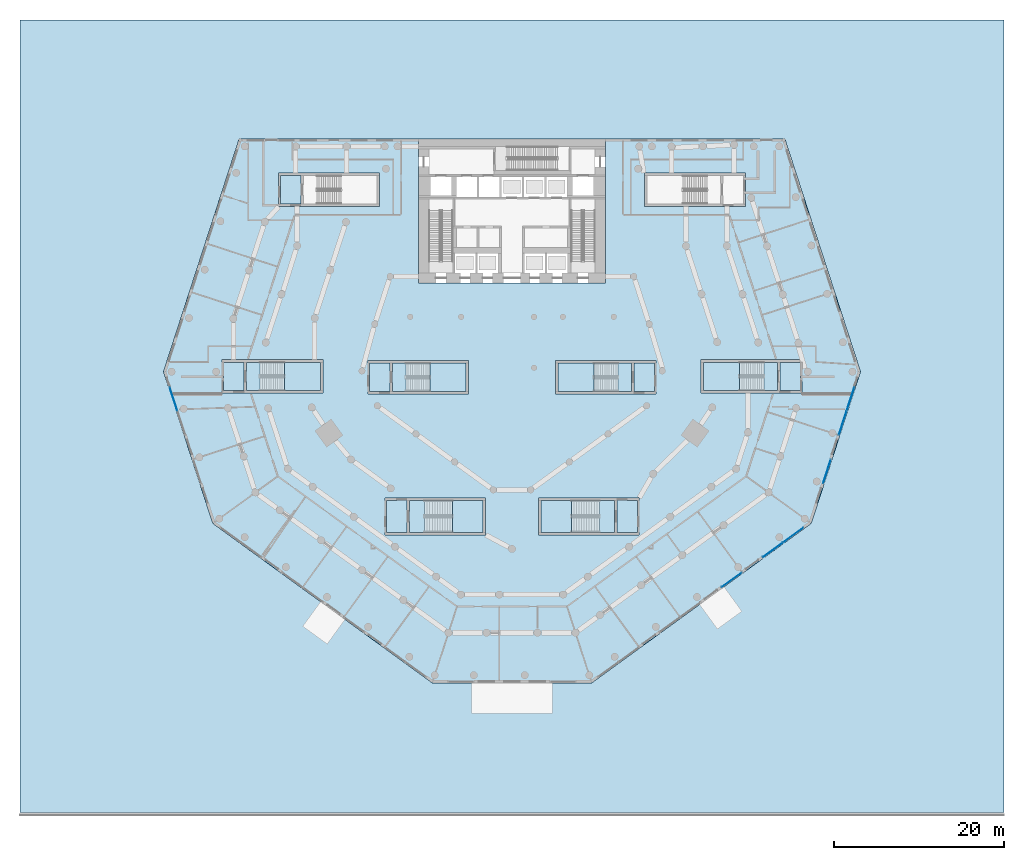
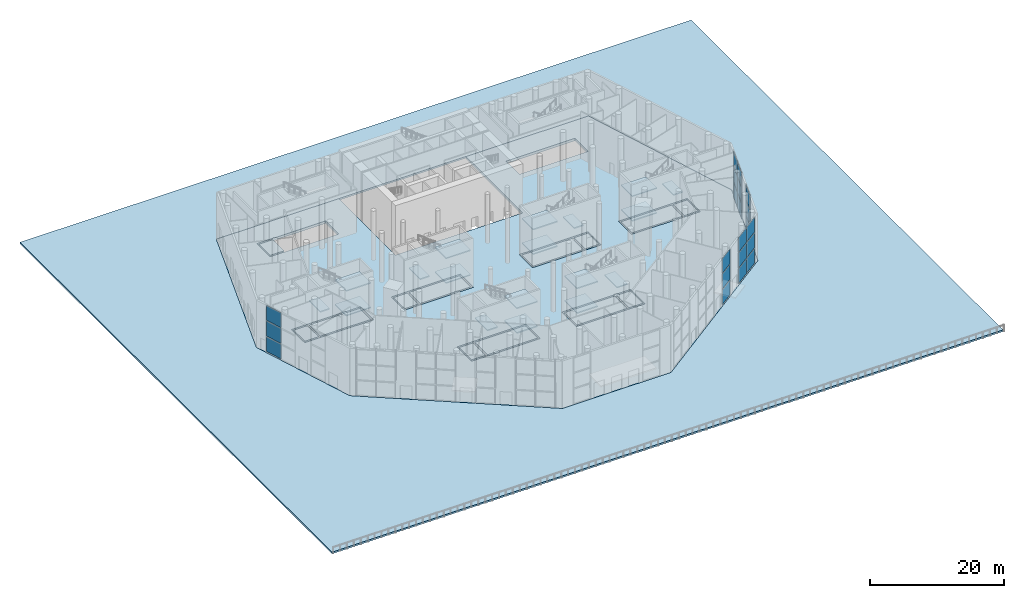
# One storey, part 8 of 25: 33 slabs, 21 plates, 11 elements without a shape of their own.
"""IFC4 building model written with IfcOpenShell, lengths in metres."""

import ifcopenshell
import ifcopenshell.guid

model = None  # the IFC model being written
_history = None  # IfcOwnerHistory: only IFC2X3 demands one
_inside = {}  # id of a spatial element -> (the spatial element, [elements in it])
_under = {}  # id of a project, library or spatial element -> (it, [spatial elements below it])
_declared = {}  # id of a project -> (the project, [libraries it declares])
_typed = {}  # id of a type object -> (the type object, [elements of that type])
_made_of = {}  # id of a material, layer set ... -> (it, [elements and type objects made of it])


def new_model(schema):
    """Start an empty IFC model of exactly this schema.

    Asked for "IFC4X3", IfcOpenShell would pick the latest addendum, in which some entities
    have other attributes; the version numbers below select the first issue.
    IFC2X3 requires an IfcOwnerHistory on every rooted entity: one is made here for all.
    """
    global model, _history
    if schema == "IFC4X3":
        model = ifcopenshell.file(schema_version=(4, 3, 0, 0))
    else:
        model = ifcopenshell.file(schema=schema)
    _inside.clear()
    _under.clear()
    _declared.clear()
    _typed.clear()
    _made_of.clear()
    _history = None
    if model.schema == "IFC2X3":
        org = make("IfcOrganization", Name="unknown")
        user = make(
            "IfcPersonAndOrganization",
            ThePerson=make("IfcPerson", FamilyName="unknown"),
            TheOrganization=org,
        )
        app = make(
            "IfcApplication",
            ApplicationDeveloper=org,
            Version="unknown",
            ApplicationFullName="unknown",
            ApplicationIdentifier="unknown",
        )
        _history = make(
            "IfcOwnerHistory",
            OwningUser=user,
            OwningApplication=app,
            ChangeAction="ADDED",
            CreationDate=0,
        )
    return model


def make(cls, **values):
    """One entity of the class cls with the attributes given. An attribute that is None is left unset."""
    return model.create_entity(
        cls, **{name: value for name, value in values.items() if value is not None}
    )


def rooted(cls, **values):
    """An entity with a GlobalId (a new one), such as an element, a storey or a relation."""
    return make(cls, GlobalId=ifcopenshell.guid.new(), OwnerHistory=_history, **values)


def si_unit(unit_type, name, prefix=None):
    """IfcSIUnit, for example si_unit("LENGTHUNIT", "METRE", prefix="MILLI")."""
    return make("IfcSIUnit", UnitType=unit_type, Prefix=prefix, Name=name)


def assignment(units):
    """IfcUnitAssignment: the units of a project."""
    return None if units is None else make("IfcUnitAssignment", Units=units)


def point(xyz):
    """IfcCartesianPoint."""
    return None if xyz is None else make("IfcCartesianPoint", Coordinates=xyz)


def direction(xyz):
    """IfcDirection."""
    return None if xyz is None else make("IfcDirection", DirectionRatios=xyz)


def frame(location, z_axis=None, x_axis=None):
    """IfcAxis2Placement3D, a coordinate frame: its origin and axes. An axis left out is left unset."""
    return make(
        "IfcAxis2Placement3D",
        Location=point(location),
        Axis=direction(z_axis),
        RefDirection=direction(x_axis),
    )


def frame_2d(location, x_axis=None):
    """IfcAxis2Placement2D, a coordinate frame in the plane: its origin and x axis."""
    return make(
        "IfcAxis2Placement2D", Location=point(location), RefDirection=direction(x_axis)
    )


def origin():
    """The frame at (0, 0, 0) with its axes left unset."""
    return frame((0.0, 0.0, 0.0))


def origin_2d():
    """The frame at (0, 0) in the plane with its x axis left unset."""
    return frame_2d((0.0, 0.0))


def place(relative_to, where):
    """IfcLocalPlacement: puts the frame where relative to a parent placement (None: the world)."""
    return make(
        "IfcLocalPlacement", PlacementRelTo=relative_to, RelativePlacement=where
    )


def context(
    kind, dimensions, precision=None, world=None, true_north=None, identifier=None
):
    """IfcGeometricRepresentationContext, for example the 3D "Model" context."""
    return make(
        "IfcGeometricRepresentationContext",
        ContextIdentifier=identifier,
        ContextType=kind,
        CoordinateSpaceDimension=dimensions,
        Precision=precision,
        WorldCoordinateSystem=world,
        TrueNorth=true_north,
    )


def subcontext(parent, identifier, kind, view, scale=None):
    """IfcGeometricRepresentationSubContext, for example "Body" below "Model"."""
    return make(
        "IfcGeometricRepresentationSubContext",
        ContextIdentifier=identifier,
        ContextType=kind,
        ParentContext=parent,
        TargetScale=scale,
        TargetView=view,
    )


def project(units=None, contexts=None):
    """IfcProject with its units and contexts."""
    return rooted(
        "IfcProject",
        Name="project",
        RepresentationContexts=contexts,
        UnitsInContext=assignment(units),
    )


def spatial(cls, under=None, at=None, **own):
    """A site, building, storey or space (cls), placed at a placement, below another one or the project."""
    s = rooted(cls, ObjectPlacement=at, **own)
    if under is not None:
        _under.setdefault(under.id(), (under, []))[1].append(s)
    return s


def polyline(points):
    """IfcPolyline through the points."""
    return make("IfcPolyline", Points=[point(p) for p in points])


def profile(cls, at=None, kind="AREA", **sizes):
    """A parametric profile (cls). Its sizes go by their IFC names, for example OverallWidth=200.0."""
    return make(cls, ProfileType=kind, Position=at, **sizes)


def rectangle(**sizes):
    """IfcRectangleProfileDef."""
    return profile("IfcRectangleProfileDef", **sizes)


def outline(outer, holes=None, kind="AREA"):
    """IfcArbitraryClosedProfileDef: a profile drawn as a closed curve; with holes, ...WithVoids."""
    if holes is None:
        return make("IfcArbitraryClosedProfileDef", ProfileType=kind, OuterCurve=outer)
    return make(
        "IfcArbitraryProfileDefWithVoids",
        ProfileType=kind,
        OuterCurve=outer,
        InnerCurves=holes,
    )


def extrude(swept, where, along, depth):
    """IfcExtrudedAreaSolid: the profile swept, set in the frame where, extruded along a direction by depth."""
    return make(
        "IfcExtrudedAreaSolid",
        SweptArea=swept,
        Position=where,
        ExtrudedDirection=direction(along),
        Depth=depth,
    )


def shape(context_of_items, identifier, shape_type, items):
    """IfcShapeRepresentation: the items that make up one representation, for example the "Body"."""
    return make(
        "IfcShapeRepresentation",
        ContextOfItems=context_of_items,
        RepresentationIdentifier=identifier,
        RepresentationType=shape_type,
        Items=items,
    )


def material(Name=None, Category=None):
    """IfcMaterial."""
    return make("IfcMaterial", Name=Name, Category=Category)


def layer(
    of_material, thickness, ventilated=None, Name=None, Category=None, Priority=None
):
    """IfcMaterialLayer: one layer of a wall or slab, of a material (None: an air gap)."""
    return make(
        "IfcMaterialLayer",
        Material=of_material,
        LayerThickness=thickness,
        IsVentilated=ventilated,
        Name=Name,
        Category=Category,
        Priority=Priority,
    )


def layer_set(layers, Name=None):
    """IfcMaterialLayerSet."""
    return make("IfcMaterialLayerSet", MaterialLayers=layers, LayerSetName=Name)


def made_of(thing, what):
    """Note that an element or type object is made of a material, layer set ...; save() writes the relation."""
    if what is not None:
        _made_of.setdefault(what.id(), (what, []))[1].append(thing)
    return thing


def type_object(cls, material=None, **own):
    """A type object (cls), such as IfcWallType, which elements share."""
    return made_of(rooted(cls, **own), material)


def element(
    cls,
    number,
    at=None,
    inside=None,
    cuts=None,
    type_object=None,
    material=None,
    context=None,
    identifier="Body",
    shape_type=None,
    held_by="IfcProductDefinitionShape",
    body=None,
    shapes=None,
    **own,
):
    """One element of the class cls, such as IfcWall. Its Tag is "e" and its number.

    at: its placement. inside: the storey or other place that contains it. cuts: it is an
    opening in that element (IfcRelVoidsElement). A single representation is given by context,
    identifier, shape_type and body (its items); several are given by shapes. held_by: the class
    of the entity that holds the representations. save() writes the other relations.
    """
    e = rooted(cls, Tag="e%d" % number, ObjectPlacement=at, **own)
    if body is not None:
        shapes = [shape(context, identifier, shape_type, body)]
    if shapes is not None:
        e.Representation = make(held_by, Representations=shapes)
    if inside is not None:
        _inside.setdefault(inside.id(), (inside, []))[1].append(e)
    if cuts is not None:
        rooted(
            "IfcRelVoidsElement", RelatingBuildingElement=cuts, RelatedOpeningElement=e
        )
    if type_object is not None:
        _typed.setdefault(type_object.id(), (type_object, []))[1].append(e)
    return made_of(e, material)


def aggregate(whole, parts):
    """IfcRelAggregates: a whole, such as a stair, and the parts it consists of."""
    return rooted("IfcRelAggregates", RelatingObject=whole, RelatedObjects=parts)


def save(model, path):
    """Write the relations noted so far, then the file.

    IfcRelAggregates (storeys below a building ...), IfcRelContainedInSpatialStructure (elements
    in a storey), IfcRelDefinesByType, IfcRelAssociatesMaterial and IfcRelDeclares: one each for
    every whole, place, type object, material and project.
    """
    for whole, parts in _under.values():
        aggregate(whole, parts)
    for where, things in _inside.values():
        rooted(
            "IfcRelContainedInSpatialStructure",
            RelatedElements=things,
            RelatingStructure=where,
        )
    for kind, things in _typed.values():
        rooted("IfcRelDefinesByType", RelatedObjects=things, RelatingType=kind)
    for what, things in _made_of.values():
        rooted("IfcRelAssociatesMaterial", RelatedObjects=things, RelatingMaterial=what)
    for by, libraries in _declared.values():
        rooted("IfcRelDeclares", RelatingContext=by, RelatedDefinitions=libraries)
    model.write(path)


model = new_model("IFC4")

# Units and contexts
model_context = context("Model", 3, precision=1e-05, world=origin(), true_north=direction((0.0, 1.0)))
body_context = subcontext(model_context, "Body", "Model", "MODEL_VIEW")
ifc_project = project(units=[si_unit("LENGTHUNIT", "METRE"), si_unit("AREAUNIT", "SQUARE_METRE"), si_unit("VOLUMEUNIT", "CUBIC_METRE"), si_unit("PLANEANGLEUNIT", "RADIAN"), si_unit("MASSUNIT", "GRAM", prefix="KILO")], contexts=[model_context])

# Site, building, storey
site_placement = place(None, origin())
site = spatial("IfcSite", under=ifc_project, at=site_placement, CompositionType="ELEMENT")
building_placement = place(site_placement, origin())
building = spatial("IfcBuilding", under=site, at=building_placement, Name="White Candle Pilgrim Tower", CompositionType="ELEMENT")
storey_placement = place(building_placement, origin())
storey = spatial("IfcBuildingStorey", under=building, at=storey_placement, Name="L00", CompositionType="ELEMENT", Elevation=0.0)

# Curtain wall, plates
ifc_material_1 = material(Name="Aluminium and glass", Category="aluminium")
curtain_wall_type = type_object("IfcCurtainWallType", Name="Curtain wall CW1 hall glazing", PredefinedType="NOTDEFINED", material=ifc_material_1)
curtain_wall_1_placement = place(storey_placement, origin())
curtain_wall_1 = element("IfcCurtainWall", 1, at=curtain_wall_1_placement, inside=storey, type_object=curtain_wall_type, Name="Curtain wall CW1 L00 W chamfer", PredefinedType="NOTDEFINED")
ifc_material_2 = material(Name="Glass, triple glazed", Category="glass")
ifc_layer_1 = layer(ifc_material_2, 0.0400390625)
ifc_layer_set_1 = layer_set([ifc_layer_1], Name="CW1 glazing panel 40")
plate_type = type_object("IfcPlateType", Name="CW1 glazing panel 40", PredefinedType="CURTAIN_PANEL", material=ifc_layer_set_1)
plate_1_placement = place(storey_placement, frame((30.094970703125, 57.3271484375, 0.1201171875), z_axis=(0.0, 0.0, 1.0), x_axis=(0.309016994325, -0.951056516311, 0.0)))
plate_1 = element("IfcPlate", 2, at=plate_1_placement, type_object=plate_type, Name="CW1 panel 1.1", PredefinedType="CURTAIN_PANEL", context=body_context, shape_type="SweptSolid", body=[
    extrude(rectangle(XDim=2.909912109375, YDim=0.0400390625, at=origin_2d()), origin(), (0.0, 0.0, 1.0), 2.703369140625),
])
plate_2_placement = place(storey_placement, frame((30.094970703125, 57.3271484375, 2.943359375), z_axis=(0.0, 0.0, 1.0), x_axis=(0.309016994325, -0.951056516311, 0.0)))
plate_2 = element("IfcPlate", 3, at=plate_2_placement, type_object=plate_type, Name="CW1 panel 1.2", PredefinedType="CURTAIN_PANEL", context=body_context, shape_type="SweptSolid", body=[
    extrude(rectangle(XDim=2.909912109375, YDim=0.0400390625, at=origin_2d()), origin(), (0.0, 0.0, 1.0), 2.763427734375),
])
plate_3_placement = place(storey_placement, frame((30.094970703125, 57.3271484375, 5.82666015625), z_axis=(0.0, 0.0, 1.0), x_axis=(0.309016994325, -0.951056516311, 0.0)))
plate_3 = element("IfcPlate", 4, at=plate_3_placement, type_object=plate_type, Name="CW1 panel 1.3", PredefinedType="CURTAIN_PANEL", context=body_context, shape_type="SweptSolid", body=[
    extrude(rectangle(XDim=2.909912109375, YDim=0.0400390625, at=origin_2d()), origin(), (0.0, 0.0, 1.0), 2.703369140625),
])
aggregate(curtain_wall_1, [plate_1, plate_2, plate_3])

curtain_wall_2_placement = place(storey_placement, origin())
curtain_wall_2 = element("IfcCurtainWall", 5, at=curtain_wall_2_placement, inside=storey, type_object=curtain_wall_type, Name="Curtain wall CW1 L00 SE", PredefinedType="NOTDEFINED")
plate_4_placement = place(storey_placement, frame((95.90283203125, 36.00341796875, 0.1201171875), z_axis=(0.0, 0.0, 1.0), x_axis=(0.809016990969, 0.58778525698, 0.0)))
plate_4 = element("IfcPlate", 6, at=plate_4_placement, type_object=plate_type, Name="CW1 panel 1.1", PredefinedType="CURTAIN_PANEL", context=body_context, shape_type="SweptSolid", body=[
    extrude(rectangle(XDim=2.8798828125, YDim=0.0400390625, at=origin_2d()), origin(), (0.0, 0.0, 1.0), 2.703369140625),
])
plate_5_placement = place(storey_placement, frame((95.90283203125, 36.00341796875, 2.943359375), z_axis=(0.0, 0.0, 1.0), x_axis=(0.809016990969, 0.58778525698, 0.0)))
plate_5 = element("IfcPlate", 7, at=plate_5_placement, type_object=plate_type, Name="CW1 panel 1.2", PredefinedType="CURTAIN_PANEL", context=body_context, shape_type="SweptSolid", body=[
    extrude(rectangle(XDim=2.8798828125, YDim=0.0400390625, at=origin_2d()), origin(), (0.0, 0.0, 1.0), 2.763427734375),
])
plate_6_placement = place(storey_placement, frame((95.90283203125, 36.00341796875, 5.82666015625), z_axis=(0.0, 0.0, 1.0), x_axis=(0.809016990969, 0.58778525698, 0.0)))
plate_6 = element("IfcPlate", 8, at=plate_6_placement, type_object=plate_type, Name="CW1 panel 1.3", PredefinedType="CURTAIN_PANEL", context=body_context, shape_type="SweptSolid", body=[
    extrude(rectangle(XDim=2.8798828125, YDim=0.0400390625, at=origin_2d()), origin(), (0.0, 0.0, 1.0), 2.703369140625),
])
aggregate(curtain_wall_2, [plate_4, plate_5, plate_6])

curtain_wall_3_placement = place(storey_placement, origin())
curtain_wall_3 = element("IfcCurtainWall", 9, at=curtain_wall_3_placement, inside=storey, type_object=curtain_wall_type, Name="Curtain wall CW1 L00 SE", PredefinedType="NOTDEFINED")
plate_7_placement = place(storey_placement, frame((100.769287109375, 39.5390625, 0.1201171875), z_axis=(0.0, 0.0, 1.0), x_axis=(0.809016991051, 0.587785256867, 0.0)))
plate_7 = element("IfcPlate", 10, at=plate_7_placement, type_object=plate_type, Name="CW1 panel 1.1", PredefinedType="CURTAIN_PANEL", context=body_context, shape_type="SweptSolid", body=[
    extrude(rectangle(XDim=2.909912109375, YDim=0.0400390625, at=origin_2d()), origin(), (0.0, 0.0, 1.0), 2.703369140625),
])
plate_8_placement = place(storey_placement, frame((100.769287109375, 39.5390625, 2.943359375), z_axis=(0.0, 0.0, 1.0), x_axis=(0.809016991051, 0.587785256867, 0.0)))
plate_8 = element("IfcPlate", 11, at=plate_8_placement, type_object=plate_type, Name="CW1 panel 1.2", PredefinedType="CURTAIN_PANEL", context=body_context, shape_type="SweptSolid", body=[
    extrude(rectangle(XDim=2.909912109375, YDim=0.0400390625, at=origin_2d()), origin(), (0.0, 0.0, 1.0), 2.763427734375),
])
plate_9_placement = place(storey_placement, frame((100.769287109375, 39.5390625, 5.82666015625), z_axis=(0.0, 0.0, 1.0), x_axis=(0.809016991051, 0.587785256867, 0.0)))
plate_9 = element("IfcPlate", 12, at=plate_9_placement, type_object=plate_type, Name="CW1 panel 1.3", PredefinedType="CURTAIN_PANEL", context=body_context, shape_type="SweptSolid", body=[
    extrude(rectangle(XDim=2.909912109375, YDim=0.0400390625, at=origin_2d()), origin(), (0.0, 0.0, 1.0), 2.703369140625),
])
plate_10_placement = place(storey_placement, frame((103.171875, 41.28466796875, 0.1201171875), z_axis=(0.0, 0.0, 1.0), x_axis=(0.809016991051, 0.587785256867, 0.0)))
plate_10 = element("IfcPlate", 13, at=plate_10_placement, type_object=plate_type, Name="CW1 panel 2.1", PredefinedType="CURTAIN_PANEL", context=body_context, shape_type="SweptSolid", body=[
    extrude(rectangle(XDim=2.909912109375, YDim=0.0400390625, at=origin_2d()), origin(), (0.0, 0.0, 1.0), 2.703369140625),
])
plate_11_placement = place(storey_placement, frame((103.171875, 41.28466796875, 2.943359375), z_axis=(0.0, 0.0, 1.0), x_axis=(0.809016991051, 0.587785256867, 0.0)))
plate_11 = element("IfcPlate", 14, at=plate_11_placement, type_object=plate_type, Name="CW1 panel 2.2", PredefinedType="CURTAIN_PANEL", context=body_context, shape_type="SweptSolid", body=[
    extrude(rectangle(XDim=2.909912109375, YDim=0.0400390625, at=origin_2d()), origin(), (0.0, 0.0, 1.0), 2.763427734375),
])
plate_12_placement = place(storey_placement, frame((103.171875, 41.28466796875, 5.82666015625), z_axis=(0.0, 0.0, 1.0), x_axis=(0.809016991051, 0.587785256867, 0.0)))
plate_12 = element("IfcPlate", 15, at=plate_12_placement, type_object=plate_type, Name="CW1 panel 2.3", PredefinedType="CURTAIN_PANEL", context=body_context, shape_type="SweptSolid", body=[
    extrude(rectangle(XDim=2.909912109375, YDim=0.0400390625, at=origin_2d()), origin(), (0.0, 0.0, 1.0), 2.703369140625),
])
aggregate(curtain_wall_3, [plate_7, plate_8, plate_9, plate_10, plate_11, plate_12])

curtain_wall_4_placement = place(storey_placement, origin())
curtain_wall_4 = element("IfcCurtainWall", 16, at=curtain_wall_4_placement, inside=storey, type_object=curtain_wall_type, Name="Curtain wall CW1 L00 E chamfer", PredefinedType="NOTDEFINED")
plate_13_placement = place(storey_placement, frame((107.12841796875, 48.78173828125, 0.1201171875), z_axis=(0.0, 0.0, 1.0), x_axis=(0.309016994325, 0.951056516311, 0.0)))
plate_13 = element("IfcPlate", 17, at=plate_13_placement, type_object=plate_type, Name="CW1 panel 1.1", PredefinedType="CURTAIN_PANEL", context=body_context, shape_type="SweptSolid", body=[
    extrude(rectangle(XDim=2.8798828125, YDim=0.0400390625, at=origin_2d()), origin(), (0.0, 0.0, 1.0), 2.703369140625),
])
plate_14_placement = place(storey_placement, frame((107.12841796875, 48.78173828125, 2.943359375), z_axis=(0.0, 0.0, 1.0), x_axis=(0.309016994325, 0.951056516311, 0.0)))
plate_14 = element("IfcPlate", 18, at=plate_14_placement, type_object=plate_type, Name="CW1 panel 1.2", PredefinedType="CURTAIN_PANEL", context=body_context, shape_type="SweptSolid", body=[
    extrude(rectangle(XDim=2.8798828125, YDim=0.0400390625, at=origin_2d()), origin(), (0.0, 0.0, 1.0), 2.763427734375),
])
plate_15_placement = place(storey_placement, frame((107.12841796875, 48.78173828125, 5.82666015625), z_axis=(0.0, 0.0, 1.0), x_axis=(0.309016994325, 0.951056516311, 0.0)))
plate_15 = element("IfcPlate", 19, at=plate_15_placement, type_object=plate_type, Name="CW1 panel 1.3", PredefinedType="CURTAIN_PANEL", context=body_context, shape_type="SweptSolid", body=[
    extrude(rectangle(XDim=2.8798828125, YDim=0.0400390625, at=origin_2d()), origin(), (0.0, 0.0, 1.0), 2.703369140625),
])
aggregate(curtain_wall_4, [plate_13, plate_14, plate_15])

curtain_wall_5_placement = place(storey_placement, origin())
curtain_wall_5 = element("IfcCurtainWall", 20, at=curtain_wall_5_placement, inside=storey, type_object=curtain_wall_type, Name="Curtain wall CW1 L00 E chamfer", PredefinedType="NOTDEFINED")
plate_16_placement = place(storey_placement, frame((108.9873046875, 54.50244140625, 0.1201171875), z_axis=(0.0, 0.0, 1.0), x_axis=(0.309016994375, 0.951056516295, 0.0)))
plate_16 = element("IfcPlate", 21, at=plate_16_placement, type_object=plate_type, Name="CW1 panel 1.1", PredefinedType="CURTAIN_PANEL", context=body_context, shape_type="SweptSolid", body=[
    extrude(rectangle(XDim=2.909912109375, YDim=0.0400390625, at=origin_2d()), origin(), (0.0, 0.0, 1.0), 2.703369140625),
])
plate_17_placement = place(storey_placement, frame((108.9873046875, 54.50244140625, 2.943359375), z_axis=(0.0, 0.0, 1.0), x_axis=(0.309016994375, 0.951056516295, 0.0)))
plate_17 = element("IfcPlate", 22, at=plate_17_placement, type_object=plate_type, Name="CW1 panel 1.2", PredefinedType="CURTAIN_PANEL", context=body_context, shape_type="SweptSolid", body=[
    extrude(rectangle(XDim=2.909912109375, YDim=0.0400390625, at=origin_2d()), origin(), (0.0, 0.0, 1.0), 2.763427734375),
])
plate_18_placement = place(storey_placement, frame((108.9873046875, 54.50244140625, 5.82666015625), z_axis=(0.0, 0.0, 1.0), x_axis=(0.309016994375, 0.951056516295, 0.0)))
plate_18 = element("IfcPlate", 23, at=plate_18_placement, type_object=plate_type, Name="CW1 panel 1.3", PredefinedType="CURTAIN_PANEL", context=body_context, shape_type="SweptSolid", body=[
    extrude(rectangle(XDim=2.909912109375, YDim=0.0400390625, at=origin_2d()), origin(), (0.0, 0.0, 1.0), 2.703369140625),
])
plate_19_placement = place(storey_placement, frame((109.905029296875, 57.3271484375, 0.1201171875), z_axis=(0.0, 0.0, 1.0), x_axis=(0.309016994375, 0.951056516295, 0.0)))
plate_19 = element("IfcPlate", 24, at=plate_19_placement, type_object=plate_type, Name="CW1 panel 2.1", PredefinedType="CURTAIN_PANEL", context=body_context, shape_type="SweptSolid", body=[
    extrude(rectangle(XDim=2.909912109375, YDim=0.0400390625, at=origin_2d()), origin(), (0.0, 0.0, 1.0), 2.703369140625),
])
plate_20_placement = place(storey_placement, frame((109.905029296875, 57.3271484375, 2.943359375), z_axis=(0.0, 0.0, 1.0), x_axis=(0.309016994375, 0.951056516295, 0.0)))
plate_20 = element("IfcPlate", 25, at=plate_20_placement, type_object=plate_type, Name="CW1 panel 2.2", PredefinedType="CURTAIN_PANEL", context=body_context, shape_type="SweptSolid", body=[
    extrude(rectangle(XDim=2.909912109375, YDim=0.0400390625, at=origin_2d()), origin(), (0.0, 0.0, 1.0), 2.763427734375),
])
plate_21_placement = place(storey_placement, frame((109.905029296875, 57.3271484375, 5.82666015625), z_axis=(0.0, 0.0, 1.0), x_axis=(0.309016994375, 0.951056516295, 0.0)))
plate_21 = element("IfcPlate", 26, at=plate_21_placement, type_object=plate_type, Name="CW1 panel 2.3", PredefinedType="CURTAIN_PANEL", context=body_context, shape_type="SweptSolid", body=[
    extrude(rectangle(XDim=2.909912109375, YDim=0.0400390625, at=origin_2d()), origin(), (0.0, 0.0, 1.0), 2.703369140625),
])
aggregate(curtain_wall_5, [plate_16, plate_17, plate_18, plate_19, plate_20, plate_21])

# Slabs
ifc_material_3 = material(Name="Concrete C40/50", Category="concrete")
ifc_layer_2 = layer(ifc_material_3, 0.449951171875)
ifc_layer_set_2 = layer_set([ifc_layer_2], Name="Core floor slab 450 mm Concrete C40/50")
slab_type_1 = type_object("IfcSlabType", Name="Core floor slab 450 mm Concrete C40/50", PredefinedType="FLOOR", material=ifc_layer_set_2)
slab_1_placement = place(storey_placement, frame((0.0, 0.0, -0.449951171875)))
element("IfcSlab", 27, at=slab_1_placement, inside=storey, type_object=slab_type_1, Name="CF-L00-01", PredefinedType="FLOOR", context=body_context, shape_type="SweptSolid", body=[
    extrude(outline(polyline([(55.199951171875, 45.35009765625), (57.60009765625, 45.35009765625), (57.60009765625, 41.60009765625), (55.199951171875, 41.60009765625), (55.199951171875, 45.35009765625)])), origin(), (0.0, 0.0, 1.0), 0.449951171875),
])
slab_2_placement = place(storey_placement, frame((0.0, 0.0, -0.449951171875)))
element("IfcSlab", 28, at=slab_2_placement, inside=storey, type_object=slab_type_1, Name="CF-L00-02", PredefinedType="FLOOR", context=body_context, shape_type="SweptSolid", body=[
    extrude(outline(polyline([(57.89990234375, 45.35009765625), (66.60009765625, 45.35009765625), (66.60009765625, 41.60009765625), (57.89990234375, 41.60009765625), (57.89990234375, 45.35009765625)])), origin(), (0.0, 0.0, 1.0), 0.449951171875),
])
slab_3_placement = place(storey_placement, frame((0.0, 0.0, -0.449951171875)))
element("IfcSlab", 29, at=slab_3_placement, inside=storey, type_object=slab_type_1, Name="CF-L00-03", PredefinedType="FLOOR", context=body_context, shape_type="SweptSolid", body=[
    extrude(outline(polyline([(53.199951171875, 61.550048828125), (55.60009765625, 61.550048828125), (55.60009765625, 58.199951171875), (53.199951171875, 58.199951171875), (53.199951171875, 61.550048828125)])), origin(), (0.0, 0.0, 1.0), 0.449951171875),
])
slab_4_placement = place(storey_placement, frame((0.0, 0.0, -0.449951171875)))
element("IfcSlab", 30, at=slab_4_placement, inside=storey, type_object=slab_type_1, Name="CF-L00-04", PredefinedType="FLOOR", context=body_context, shape_type="SweptSolid", body=[
    extrude(outline(polyline([(55.89990234375, 61.550048828125), (64.60009765625, 61.550048828125), (64.60009765625, 58.199951171875), (55.89990234375, 58.199951171875), (55.89990234375, 61.550048828125)])), origin(), (0.0, 0.0, 1.0), 0.449951171875),
])
slab_5_placement = place(storey_placement, frame((0.0, 0.0, -0.449951171875)))
element("IfcSlab", 31, at=slab_5_placement, inside=storey, type_object=slab_type_1, Name="CF-L00-05", PredefinedType="FLOOR", context=body_context, shape_type="SweptSolid", body=[
    extrude(outline(polyline([(36.0, 59.7900390625), (36.0, 60.090087890625), (36.0, 61.64990234375), (38.39990234375, 61.64990234375), (38.39990234375, 58.300048828125), (36.0, 58.300048828125), (36.0, 59.7900390625)])), origin(), (0.0, 0.0, 1.0), 0.449951171875),
])
slab_6_placement = place(storey_placement, frame((0.0, 0.0, -0.449951171875)))
element("IfcSlab", 32, at=slab_6_placement, inside=storey, type_object=slab_type_1, Name="CF-L00-06", PredefinedType="FLOOR", context=body_context, shape_type="SweptSolid", body=[
    extrude(outline(polyline([(47.39990234375, 61.64990234375), (47.39990234375, 58.300048828125), (38.699951171875, 58.300048828125), (38.699951171875, 61.64990234375), (47.39990234375, 61.64990234375)])), origin(), (0.0, 0.0, 1.0), 0.449951171875),
])
slab_7_placement = place(storey_placement, frame((0.0, 0.0, -0.449951171875)))
element("IfcSlab", 33, at=slab_7_placement, inside=storey, type_object=slab_type_1, Name="CF-L00-13", PredefinedType="FLOOR", context=body_context, shape_type="SweptSolid", body=[
    extrude(outline(polyline([(45.10009765625, 83.64990234375), (45.10009765625, 80.300048828125), (42.699951171875, 80.300048828125), (42.699951171875, 83.64990234375), (45.10009765625, 83.64990234375)])), origin(), (0.0, 0.0, 1.0), 0.449951171875),
])
slab_8_placement = place(storey_placement, frame((0.0, 0.0, -0.449951171875)))
element("IfcSlab", 34, at=slab_8_placement, inside=storey, type_object=slab_type_1, Name="CF-L00-15", PredefinedType="FLOOR", context=body_context, shape_type="SweptSolid", body=[
    extrude(outline(polyline([(82.10009765625, 41.60009765625), (73.39990234375, 41.60009765625), (73.39990234375, 45.35009765625), (82.10009765625, 45.35009765625), (82.10009765625, 41.60009765625)])), origin(), (0.0, 0.0, 1.0), 0.449951171875),
])
slab_9_placement = place(storey_placement, frame((0.0, 0.0, -0.449951171875)))
element("IfcSlab", 35, at=slab_9_placement, inside=storey, type_object=slab_type_1, Name="CF-L00-16", PredefinedType="FLOOR", context=body_context, shape_type="SweptSolid", body=[
    extrude(outline(polyline([(84.800048828125, 41.60009765625), (82.39990234375, 41.60009765625), (82.39990234375, 45.35009765625), (84.800048828125, 45.35009765625), (84.800048828125, 41.60009765625)])), origin(), (0.0, 0.0, 1.0), 0.449951171875),
])
slab_10_placement = place(storey_placement, frame((0.0, 0.0, -0.449951171875)))
element("IfcSlab", 36, at=slab_10_placement, inside=storey, type_object=slab_type_1, Name="CF-L00-17", PredefinedType="FLOOR", context=body_context, shape_type="SweptSolid", body=[
    extrude(outline(polyline([(75.39990234375, 61.550048828125), (84.10009765625, 61.550048828125), (84.10009765625, 58.199951171875), (75.39990234375, 58.199951171875), (75.39990234375, 61.550048828125)])), origin(), (0.0, 0.0, 1.0), 0.449951171875),
])
slab_11_placement = place(storey_placement, frame((0.0, 0.0, -0.449951171875)))
element("IfcSlab", 37, at=slab_11_placement, inside=storey, type_object=slab_type_1, Name="CF-L00-18", PredefinedType="FLOOR", context=body_context, shape_type="SweptSolid", body=[
    extrude(outline(polyline([(84.39990234375, 61.550048828125), (86.800048828125, 61.550048828125), (86.800048828125, 58.199951171875), (84.39990234375, 58.199951171875), (84.39990234375, 61.550048828125)])), origin(), (0.0, 0.0, 1.0), 0.449951171875),
])
slab_12_placement = place(storey_placement, frame((0.0, 0.0, -0.449951171875)))
element("IfcSlab", 38, at=slab_12_placement, inside=storey, type_object=slab_type_1, Name="CF-L00-19", PredefinedType="FLOOR", context=body_context, shape_type="SweptSolid", body=[
    extrude(outline(polyline([(92.60009765625, 61.64990234375), (101.300048828125, 61.64990234375), (101.300048828125, 58.300048828125), (92.60009765625, 58.300048828125), (92.60009765625, 61.64990234375)])), origin(), (0.0, 0.0, 1.0), 0.449951171875),
])
slab_13_placement = place(storey_placement, frame((0.0, 0.0, -0.449951171875)))
element("IfcSlab", 39, at=slab_13_placement, inside=storey, type_object=slab_type_1, Name="CF-L00-20", PredefinedType="FLOOR", context=body_context, shape_type="SweptSolid", body=[
    extrude(outline(polyline([(101.60009765625, 61.64990234375), (104.0, 61.64990234375), (104.0, 60.090087890625), (104.0, 59.7900390625), (104.0, 58.300048828125), (101.60009765625, 58.300048828125), (101.60009765625, 61.64990234375)])), origin(), (0.0, 0.0, 1.0), 0.449951171875),
])
ifc_layer_3 = layer(ifc_material_3, 0.449951171875)
ifc_layer_set_3 = layer_set([ifc_layer_3], Name="Floor slab 450 REI 240")
slab_type_2 = type_object("IfcSlabType", Name="Floor slab 450 REI 240", PredefinedType="FLOOR", material=ifc_layer_set_3)
slab_14_placement = place(storey_placement, frame((0.0, 0.0, -0.449951171875)))
element("IfcSlab", 40, at=slab_14_placement, inside=storey, type_object=slab_type_2, Name="L00 floor slab", PredefinedType="FLOOR", context=body_context, shape_type="SweptSolid", body=[
    extrude(outline(polyline([(60.596923828125, 23.861083984375), (79.403076171875, 23.861083984375), (105.268798828125, 42.653564453125), (111.080078125, 60.539306640625), (102.157470703125, 88.0), (81.0, 88.0), (81.0, 71.0), (59.0, 71.0), (59.0, 88.0), (37.842529296875, 88.0), (28.919921875, 60.539306640625), (34.731201171875, 42.653564453125), (60.596923828125, 23.861083984375)]), holes=[polyline([(55.0, 41.300048828125), (55.0, 45.64990234375), (66.89990234375, 45.64990234375), (66.89990234375, 41.300048828125), (55.0, 41.300048828125)]), polyline([(35.800048828125, 58.0), (35.800048828125, 59.7900390625), (35.800048828125, 60.090087890625), (35.800048828125, 61.949951171875), (47.699951171875, 61.949951171875), (47.699951171875, 58.0), (35.800048828125, 58.0)]), polyline([(53.0, 57.89990234375), (53.0, 61.85009765625), (64.89990234375, 61.85009765625), (64.89990234375, 57.89990234375), (53.0, 57.89990234375)]), polyline([(42.5, 80.0), (42.5, 83.949951171875), (54.39990234375, 83.949951171875), (54.39990234375, 80.0), (42.5, 80.0)]), polyline([(73.10009765625, 41.300048828125), (73.10009765625, 45.64990234375), (85.0, 45.64990234375), (85.0, 41.300048828125), (73.10009765625, 41.300048828125)]), polyline([(75.10009765625, 57.89990234375), (75.10009765625, 61.85009765625), (87.0, 61.85009765625), (87.0, 57.89990234375), (75.10009765625, 57.89990234375)]), polyline([(92.300048828125, 58.0), (92.300048828125, 61.949951171875), (104.199951171875, 61.949951171875), (104.199951171875, 58.0), (92.300048828125, 58.0)]), polyline([(85.60009765625, 80.0), (85.60009765625, 83.949951171875), (97.5, 83.949951171875), (97.5, 83.449951171875), (97.5, 81.5), (97.5, 80.0), (85.60009765625, 80.0)])]), origin(), (0.0, 0.0, 1.0), 0.449951171875),
])
ifc_material_4 = material(Name="Concrete C30/37 paving", Category="concrete")
ifc_layer_4 = layer(ifc_material_4, 0.300048828125)
ifc_layer_set_4 = layer_set([ifc_layer_4], Name="Promenade paving PV1 300")
slab_type_3 = type_object("IfcSlabType", Name="Promenade paving PV1 300", PredefinedType="USERDEFINED", material=ifc_layer_set_4)
slab_15_placement = place(storey_placement, frame((0.0, 0.0, -0.300048828125)))
element("IfcSlab", 41, at=slab_15_placement, inside=storey, type_object=slab_type_3, Name="Waterfront promenade and yards", ObjectType="PAVING", PredefinedType="USERDEFINED", context=body_context, shape_type="SweptSolid", body=[
    extrude(outline(polyline([(12.0, 102.0), (128.0, 102.0), (128.0, 8.60009765625), (12.0, 8.60009765625), (12.0, 102.0)]), holes=[polyline([(102.157470703125, 88.0), (37.842529296875, 88.0), (28.919921875, 60.539306640625), (34.731201171875, 42.653564453125), (60.596923828125, 23.861083984375), (79.403076171875, 23.861083984375), (105.268798828125, 42.653564453125), (111.080078125, 60.539306640625), (102.157470703125, 88.0)])]), origin(), (0.0, 0.0, 1.0), 0.300048828125),
])

# Stair, slabs
stair_type_1 = type_object("IfcStairType", Name="Exit stair 4 flight width 1600 mm", PredefinedType="HALF_TURN_STAIR", material=ifc_material_3)
stair_1_placement = place(storey_placement, origin())
stair_1 = element("IfcStair", 42, at=stair_1_placement, inside=storey, type_object=stair_type_1, Name="L00 stair 4", PredefinedType="NOTDEFINED")
ifc_layer_5 = layer(ifc_material_3, 0.199951171875)
ifc_layer_set_5 = layer_set([ifc_layer_5], Name="Stair landing Concrete C40/50")
slab_type_4 = type_object("IfcSlabType", Name="Stair landing Concrete C40/50", PredefinedType="LANDING", material=ifc_layer_set_5)
slab_16_placement = place(storey_placement, frame((0.0, 0.0, 2.050048828125)))
slab_16 = element("IfcSlab", 43, at=slab_16_placement, type_object=slab_type_4, Name="ST4 landing 1", PredefinedType="LANDING", context=body_context, shape_type="SweptSolid", body=[
    extrude(outline(polyline([(79.64208984375, 61.552001953125), (79.64208984375, 58.197998046875), (75.39794921875, 58.197998046875), (75.39794921875, 61.552001953125), (79.64208984375, 61.552001953125)])), origin(), (0.0, 0.0, 1.0), 0.199951171875),
])
slab_17_placement = place(storey_placement, frame((0.0, 0.0, 4.300048828125)))
slab_17 = element("IfcSlab", 44, at=slab_17_placement, type_object=slab_type_4, Name="ST4 landing 2", PredefinedType="LANDING", context=body_context, shape_type="SweptSolid", body=[
    extrude(outline(polyline([(84.10205078125, 61.552001953125), (84.10205078125, 58.197998046875), (82.498046875, 58.197998046875), (82.498046875, 61.552001953125), (84.10205078125, 61.552001953125)])), origin(), (0.0, 0.0, 1.0), 0.199951171875),
])
slab_18_placement = place(storey_placement, frame((0.0, 0.0, 6.550048828125)))
slab_18 = element("IfcSlab", 45, at=slab_18_placement, type_object=slab_type_4, Name="ST4 landing 3", PredefinedType="LANDING", context=body_context, shape_type="SweptSolid", body=[
    extrude(outline(polyline([(79.64208984375, 61.552001953125), (79.64208984375, 58.197998046875), (75.39794921875, 58.197998046875), (75.39794921875, 61.552001953125), (79.64208984375, 61.552001953125)])), origin(), (0.0, 0.0, 1.0), 0.199951171875),
])
aggregate(stair_1, [slab_16, slab_17, slab_18])

stair_type_2 = type_object("IfcStairType", Name="Exit stair 5 flight width 1600 mm", PredefinedType="HALF_TURN_STAIR", material=ifc_material_3)
stair_2_placement = place(storey_placement, origin())
stair_2 = element("IfcStair", 46, at=stair_2_placement, inside=storey, type_object=stair_type_2, Name="L00 stair 5", PredefinedType="NOTDEFINED")
slab_19_placement = place(storey_placement, frame((0.0, 0.0, 2.050048828125)))
slab_19 = element("IfcSlab", 47, at=slab_19_placement, type_object=slab_type_4, Name="ST5 landing 1", PredefinedType="LANDING", context=body_context, shape_type="SweptSolid", body=[
    extrude(outline(polyline([(60.35791015625, 58.197998046875), (60.35791015625, 61.552001953125), (64.60205078125, 61.552001953125), (64.60205078125, 58.197998046875), (60.35791015625, 58.197998046875)])), origin(), (0.0, 0.0, 1.0), 0.199951171875),
])
slab_20_placement = place(storey_placement, frame((0.0, 0.0, 4.300048828125)))
slab_20 = element("IfcSlab", 48, at=slab_20_placement, type_object=slab_type_4, Name="ST5 landing 2", PredefinedType="LANDING", context=body_context, shape_type="SweptSolid", body=[
    extrude(outline(polyline([(55.89794921875, 58.197998046875), (55.89794921875, 61.552001953125), (57.501953125, 61.552001953125), (57.501953125, 58.197998046875), (55.89794921875, 58.197998046875)])), origin(), (0.0, 0.0, 1.0), 0.199951171875),
])
slab_21_placement = place(storey_placement, frame((0.0, 0.0, 6.550048828125)))
slab_21 = element("IfcSlab", 49, at=slab_21_placement, type_object=slab_type_4, Name="ST5 landing 3", PredefinedType="LANDING", context=body_context, shape_type="SweptSolid", body=[
    extrude(outline(polyline([(60.35791015625, 58.197998046875), (60.35791015625, 61.552001953125), (64.60205078125, 61.552001953125), (64.60205078125, 58.197998046875), (60.35791015625, 58.197998046875)])), origin(), (0.0, 0.0, 1.0), 0.199951171875),
])
aggregate(stair_2, [slab_19, slab_20, slab_21])

stair_type_3 = type_object("IfcStairType", Name="Exit stair 6 flight width 1800 mm", PredefinedType="HALF_TURN_STAIR", material=ifc_material_3)
stair_3_placement = place(storey_placement, origin())
stair_3 = element("IfcStair", 50, at=stair_3_placement, inside=storey, type_object=stair_type_3, Name="L00 stair 6", PredefinedType="NOTDEFINED")
slab_22_placement = place(storey_placement, frame((0.0, 0.0, 2.050048828125)))
slab_22 = element("IfcSlab", 51, at=slab_22_placement, type_object=slab_type_4, Name="ST6 landing 1", PredefinedType="LANDING", context=body_context, shape_type="SweptSolid", body=[
    extrude(outline(polyline([(62.998046875, 41.597900390625), (62.998046875, 45.35205078125), (66.60205078125, 45.35205078125), (66.60205078125, 41.597900390625), (62.998046875, 41.597900390625)])), origin(), (0.0, 0.0, 1.0), 0.199951171875),
])
slab_23_placement = place(storey_placement, frame((0.0, 0.0, 4.300048828125)))
slab_23 = element("IfcSlab", 52, at=slab_23_placement, type_object=slab_type_4, Name="ST6 landing 2", PredefinedType="LANDING", context=body_context, shape_type="SweptSolid", body=[
    extrude(outline(polyline([(57.89794921875, 41.597900390625), (57.89794921875, 45.35205078125), (59.701904296875, 45.35205078125), (59.701904296875, 41.597900390625), (57.89794921875, 41.597900390625)])), origin(), (0.0, 0.0, 1.0), 0.199951171875),
])
slab_24_placement = place(storey_placement, frame((0.0, 0.0, 6.550048828125)))
slab_24 = element("IfcSlab", 53, at=slab_24_placement, type_object=slab_type_4, Name="ST6 landing 3", PredefinedType="LANDING", context=body_context, shape_type="SweptSolid", body=[
    extrude(outline(polyline([(62.998046875, 41.597900390625), (62.998046875, 45.35205078125), (66.60205078125, 45.35205078125), (66.60205078125, 41.597900390625), (62.998046875, 41.597900390625)])), origin(), (0.0, 0.0, 1.0), 0.199951171875),
])
aggregate(stair_3, [slab_22, slab_23, slab_24])

stair_type_4 = type_object("IfcStairType", Name="Exit stair 7 flight width 1800 mm", PredefinedType="HALF_TURN_STAIR", material=ifc_material_3)
stair_4_placement = place(storey_placement, origin())
stair_4 = element("IfcStair", 54, at=stair_4_placement, inside=storey, type_object=stair_type_4, Name="L00 stair 7", PredefinedType="NOTDEFINED")
slab_25_placement = place(storey_placement, frame((0.0, 0.0, 2.050048828125)))
slab_25 = element("IfcSlab", 55, at=slab_25_placement, type_object=slab_type_4, Name="ST7 landing 1", PredefinedType="LANDING", context=body_context, shape_type="SweptSolid", body=[
    extrude(outline(polyline([(77.001953125, 45.35205078125), (77.001953125, 41.597900390625), (73.39794921875, 41.597900390625), (73.39794921875, 45.35205078125), (77.001953125, 45.35205078125)])), origin(), (0.0, 0.0, 1.0), 0.199951171875),
])
slab_26_placement = place(storey_placement, frame((0.0, 0.0, 4.300048828125)))
slab_26 = element("IfcSlab", 56, at=slab_26_placement, type_object=slab_type_4, Name="ST7 landing 2", PredefinedType="LANDING", context=body_context, shape_type="SweptSolid", body=[
    extrude(outline(polyline([(82.10205078125, 45.35205078125), (82.10205078125, 41.597900390625), (80.298095703125, 41.597900390625), (80.298095703125, 45.35205078125), (82.10205078125, 45.35205078125)])), origin(), (0.0, 0.0, 1.0), 0.199951171875),
])
slab_27_placement = place(storey_placement, frame((0.0, 0.0, 6.550048828125)))
slab_27 = element("IfcSlab", 57, at=slab_27_placement, type_object=slab_type_4, Name="ST7 landing 3", PredefinedType="LANDING", context=body_context, shape_type="SweptSolid", body=[
    extrude(outline(polyline([(77.001953125, 45.35205078125), (77.001953125, 41.597900390625), (73.39794921875, 41.597900390625), (73.39794921875, 45.35205078125), (77.001953125, 45.35205078125)])), origin(), (0.0, 0.0, 1.0), 0.199951171875),
])
aggregate(stair_4, [slab_25, slab_26, slab_27])

stair_type_5 = type_object("IfcStairType", Name="Exit stair 8 flight width 1600 mm", PredefinedType="HALF_TURN_STAIR", material=ifc_material_3)
stair_5_placement = place(storey_placement, origin())
stair_5 = element("IfcStair", 58, at=stair_5_placement, inside=storey, type_object=stair_type_5, Name="L00 stair 8", PredefinedType="NOTDEFINED")
slab_28_placement = place(storey_placement, frame((0.0, 0.0, 2.050048828125)))
slab_28 = element("IfcSlab", 59, at=slab_28_placement, type_object=slab_type_4, Name="ST8 landing 1", PredefinedType="LANDING", context=body_context, shape_type="SweptSolid", body=[
    extrude(outline(polyline([(43.157958984375, 58.298095703125), (43.157958984375, 61.652099609375), (47.402099609375, 61.652099609375), (47.402099609375, 58.298095703125), (43.157958984375, 58.298095703125)])), origin(), (0.0, 0.0, 1.0), 0.199951171875),
])
slab_29_placement = place(storey_placement, frame((0.0, 0.0, 4.300048828125)))
slab_29 = element("IfcSlab", 60, at=slab_29_placement, type_object=slab_type_4, Name="ST8 landing 2", PredefinedType="LANDING", context=body_context, shape_type="SweptSolid", body=[
    extrude(outline(polyline([(38.697998046875, 58.298095703125), (38.697998046875, 61.652099609375), (40.302001953125, 61.652099609375), (40.302001953125, 58.298095703125), (38.697998046875, 58.298095703125)])), origin(), (0.0, 0.0, 1.0), 0.199951171875),
])
slab_30_placement = place(storey_placement, frame((0.0, 0.0, 6.550048828125)))
slab_30 = element("IfcSlab", 61, at=slab_30_placement, type_object=slab_type_4, Name="ST8 landing 3", PredefinedType="LANDING", context=body_context, shape_type="SweptSolid", body=[
    extrude(outline(polyline([(43.157958984375, 58.298095703125), (43.157958984375, 61.652099609375), (47.402099609375, 61.652099609375), (47.402099609375, 58.298095703125), (43.157958984375, 58.298095703125)])), origin(), (0.0, 0.0, 1.0), 0.199951171875),
])
aggregate(stair_5, [slab_28, slab_29, slab_30])

stair_type_6 = type_object("IfcStairType", Name="Exit stair 9 flight width 1600 mm", PredefinedType="HALF_TURN_STAIR", material=ifc_material_3)
stair_6_placement = place(storey_placement, origin())
stair_6 = element("IfcStair", 62, at=stair_6_placement, inside=storey, type_object=stair_type_6, Name="L00 stair 9", PredefinedType="NOTDEFINED")
slab_31_placement = place(storey_placement, frame((0.0, 0.0, 2.050048828125)))
slab_31 = element("IfcSlab", 63, at=slab_31_placement, type_object=slab_type_4, Name="ST9 landing 1", PredefinedType="LANDING", context=body_context, shape_type="SweptSolid", body=[
    extrude(outline(polyline([(96.842041015625, 61.652099609375), (96.842041015625, 58.298095703125), (92.597900390625, 58.298095703125), (92.597900390625, 61.652099609375), (96.842041015625, 61.652099609375)])), origin(), (0.0, 0.0, 1.0), 0.199951171875),
])
slab_32_placement = place(storey_placement, frame((0.0, 0.0, 4.300048828125)))
slab_32 = element("IfcSlab", 64, at=slab_32_placement, type_object=slab_type_4, Name="ST9 landing 2", PredefinedType="LANDING", context=body_context, shape_type="SweptSolid", body=[
    extrude(outline(polyline([(101.302001953125, 61.652099609375), (101.302001953125, 58.298095703125), (99.697998046875, 58.298095703125), (99.697998046875, 61.652099609375), (101.302001953125, 61.652099609375)])), origin(), (0.0, 0.0, 1.0), 0.199951171875),
])
slab_33_placement = place(storey_placement, frame((0.0, 0.0, 6.550048828125)))
slab_33 = element("IfcSlab", 65, at=slab_33_placement, type_object=slab_type_4, Name="ST9 landing 3", PredefinedType="LANDING", context=body_context, shape_type="SweptSolid", body=[
    extrude(outline(polyline([(96.842041015625, 61.652099609375), (96.842041015625, 58.298095703125), (92.597900390625, 58.298095703125), (92.597900390625, 61.652099609375), (96.842041015625, 61.652099609375)])), origin(), (0.0, 0.0, 1.0), 0.199951171875),
])
aggregate(stair_6, [slab_31, slab_32, slab_33])

save(model, "model.ifc")
